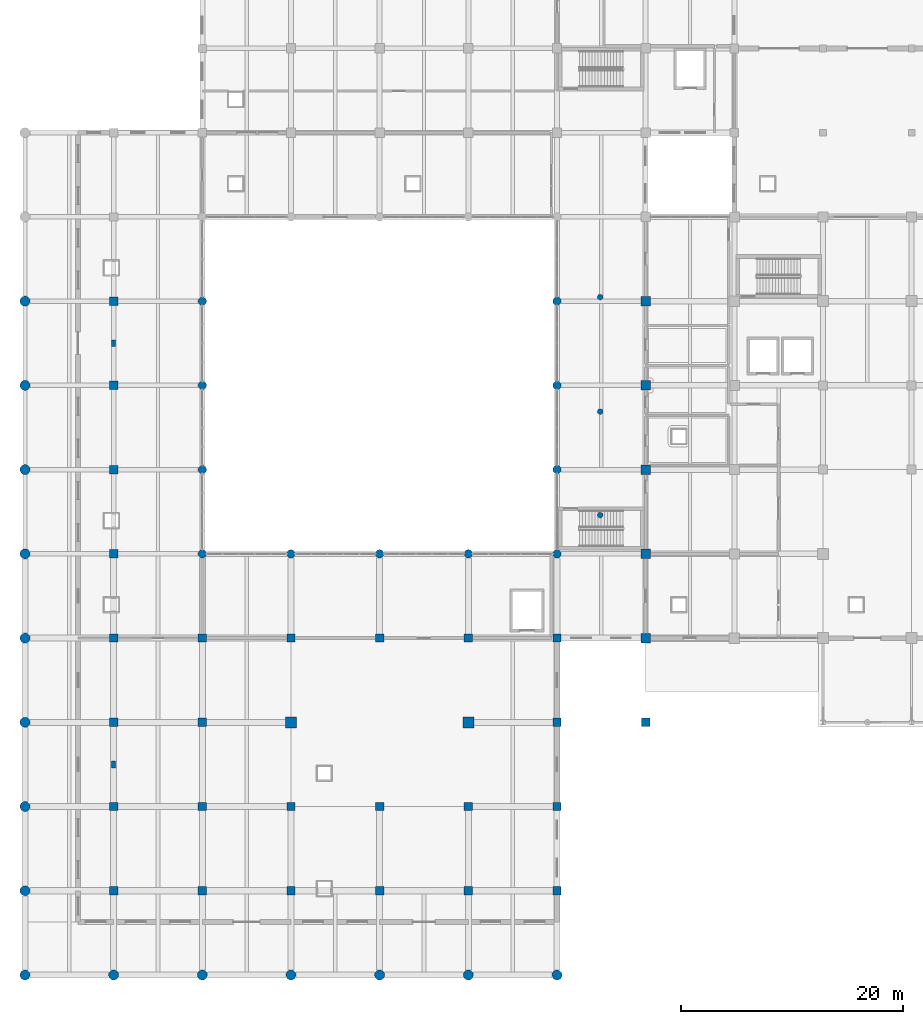
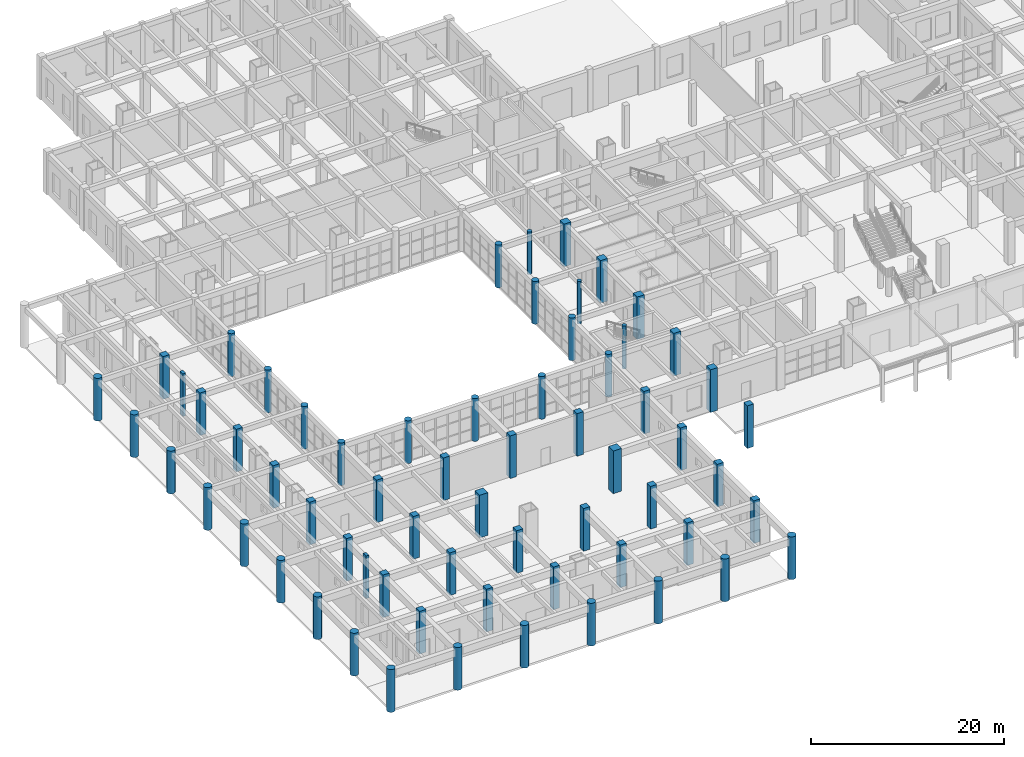
# One storey, part 1 of 95: 64 columns.
"""IFC4 building model written with IfcOpenShell, lengths in metres."""

from ifc_helpers import new_model, si_unit, direction, frame, origin, origin_2d, place, context, subcontext, project, spatial, rectangle, circle, extrude, material, material_profile, profile_set, type_object, element, save


model = new_model("IFC4")

# Units and contexts
model_context = context("Model", 3, precision=1e-05, world=origin(), true_north=direction((0.0, 1.0)))
body_context = subcontext(model_context, "Body", "Model", "MODEL_VIEW")
ifc_project = project(units=[si_unit("LENGTHUNIT", "METRE"), si_unit("AREAUNIT", "SQUARE_METRE"), si_unit("VOLUMEUNIT", "CUBIC_METRE"), si_unit("PLANEANGLEUNIT", "RADIAN"), si_unit("MASSUNIT", "GRAM", prefix="KILO")], contexts=[model_context])

# Site, building, storey
site_placement = place(None, origin())
site = spatial("IfcSite", under=ifc_project, at=site_placement, CompositionType="ELEMENT")
building_placement = place(site_placement, origin())
building = spatial("IfcBuilding", under=site, at=building_placement, Name="Zantavel Square City Hall", CompositionType="ELEMENT")
storey_placement = place(building_placement, origin())
storey = spatial("IfcBuildingStorey", under=building, at=storey_placement, Name="L01", CompositionType="ELEMENT", Elevation=0.0)

# Columns
ifc_material = material(Name="Concrete C40/50", Category="concrete")
ifc_material_profile_1 = material_profile(ifc_material, rectangle(XDim=0.60009765625, YDim=0.35009765625, at=origin_2d()), Name="RC 600x350")
ifc_profile_set_1 = profile_set([ifc_material_profile_1], Name="Concrete C40/50")
column_type_1 = type_object("IfcColumnType", Name="Colossal Facade Pilaster 600x350 C40/50", PredefinedType="PILASTER", material=ifc_profile_set_1)
for number, where, z_axis, x_axis, name in (
    (1, (8.0, 19.0, 0.0), (0.0, 0.0, 1.0), (0.0, 1.0, 0.0), "L01 Facade Pilaster PIL-L01-0080-0190"),
    (2, (8.0, 57.0, 0.0), (0.0, 0.0, 1.0), (0.0, 1.0, 0.0), "L01 Facade Pilaster PIL-L01-0080-0570"),
):
    element("IfcColumn", number, at=place(storey_placement, frame(where, z_axis=z_axis, x_axis=x_axis)), inside=storey, type_object=column_type_1, Name=name, PredefinedType="PILASTER", context=body_context, shape_type="SweptSolid", body=[
        extrude(rectangle(XDim=0.60009765625, YDim=0.35009765625, at=origin_2d()), origin(), (0.0, 0.0, 1.0), 5.39990234375),
    ])
ifc_material_profile_2 = material_profile(ifc_material, rectangle(XDim=1.0, YDim=1.0, at=origin_2d()), Name="RC 1000x1000")
ifc_profile_set_2 = profile_set([ifc_material_profile_2], Name="Concrete C40/50")
column_type_2 = type_object("IfcColumnType", Name="Column RC 1000x1000 C40/50", PredefinedType="COLUMN", material=ifc_profile_set_2)
for number, where, z_axis, x_axis, name in (
    (3, (24.0, 22.800048828125, 0.0), (0.0, 0.0, 1.0), (1.0, 0.0, 0.0), "L01 Column COL-L01-0240-0228"),
    (4, (40.0, 22.800048828125, 0.0), (0.0, 0.0, 1.0), (1.0, 0.0, 0.0), "L01 Column COL-L01-0400-0228"),
):
    element("IfcColumn", number, at=place(storey_placement, frame(where, z_axis=z_axis, x_axis=x_axis)), inside=storey, type_object=column_type_2, Name=name, PredefinedType="COLUMN", context=body_context, shape_type="SweptSolid", body=[
        extrude(rectangle(XDim=1.0, YDim=1.0, at=origin_2d()), origin(), (0.0, 0.0, 1.0), 5.39990234375),
    ])
ifc_material_profile_3 = material_profile(ifc_material, rectangle(XDim=0.75, YDim=0.75, at=origin_2d()), Name="RC 750x750")
ifc_profile_set_3 = profile_set([ifc_material_profile_3], Name="Concrete C40/50")
column_type_3 = type_object("IfcColumnType", Name="Column RC 750x750 C40/50", PredefinedType="COLUMN", material=ifc_profile_set_3)
for number, where, z_axis, x_axis, name in (
    (5, (8.0, 7.60009765625, 0.0), (0.0, 0.0, 1.0), (1.0, 0.0, 0.0), "L01 Column COL-L01-0080-0076"),
    (6, (8.0, 15.199951171875, 0.0), (0.0, 0.0, 1.0), (1.0, 0.0, 0.0), "L01 Column COL-L01-0080-0152"),
    (7, (8.0, 22.800048828125, 0.0), (0.0, 0.0, 1.0), (1.0, 0.0, 0.0), "L01 Column COL-L01-0080-0228"),
    (8, (8.0, 30.39990234375, 0.0), (0.0, 0.0, 1.0), (1.0, 0.0, 0.0), "L01 Column COL-L01-0080-0304"),
    (9, (8.0, 38.0, 0.0), (0.0, 0.0, 1.0), (1.0, 0.0, 0.0), "L01 Column COL-L01-0080-0380"),
    (10, (8.0, 45.60009765625, 0.0), (0.0, 0.0, 1.0), (1.0, 0.0, 0.0), "L01 Column COL-L01-0080-0456"),
    (11, (8.0, 53.199951171875, 0.0), (0.0, 0.0, 1.0), (1.0, 0.0, 0.0), "L01 Column COL-L01-0080-0532"),
    (12, (8.0, 60.800048828125, 0.0), (0.0, 0.0, 1.0), (1.0, 0.0, 0.0), "L01 Column COL-L01-0080-0608"),
    (13, (16.0, 7.60009765625, 0.0), (0.0, 0.0, 1.0), (1.0, 0.0, 0.0), "L01 Column COL-L01-0160-0076"),
    (14, (16.0, 15.199951171875, 0.0), (0.0, 0.0, 1.0), (1.0, 0.0, 0.0), "L01 Column COL-L01-0160-0152"),
    (15, (16.0, 22.800048828125, 0.0), (0.0, 0.0, 1.0), (1.0, 0.0, 0.0), "L01 Column COL-L01-0160-0228"),
    (16, (16.0, 30.39990234375, 0.0), (0.0, 0.0, 1.0), (1.0, 0.0, 0.0), "L01 Column COL-L01-0160-0304"),
    (17, (24.0, 7.60009765625, 0.0), (0.0, 0.0, 1.0), (1.0, 0.0, 0.0), "L01 Column COL-L01-0240-0076"),
    (18, (24.0, 15.199951171875, 0.0), (0.0, 0.0, 1.0), (1.0, 0.0, 0.0), "L01 Column COL-L01-0240-0152"),
    (19, (24.0, 30.39990234375, 0.0), (0.0, 0.0, 1.0), (1.0, 0.0, 0.0), "L01 Column COL-L01-0240-0304"),
    (20, (32.0, 7.60009765625, 0.0), (0.0, 0.0, 1.0), (1.0, 0.0, 0.0), "L01 Column COL-L01-0320-0076"),
    (21, (32.0, 15.199951171875, 0.0), (0.0, 0.0, 1.0), (1.0, 0.0, 0.0), "L01 Column COL-L01-0320-0152"),
    (22, (32.0, 30.39990234375, 0.0), (0.0, 0.0, 1.0), (1.0, 0.0, 0.0), "L01 Column COL-L01-0320-0304"),
    (23, (40.0, 7.60009765625, 0.0), (0.0, 0.0, 1.0), (1.0, 0.0, 0.0), "L01 Column COL-L01-0400-0076"),
    (24, (40.0, 15.199951171875, 0.0), (0.0, 0.0, 1.0), (1.0, 0.0, 0.0), "L01 Column COL-L01-0400-0152"),
    (25, (40.0, 30.39990234375, 0.0), (0.0, 0.0, 1.0), (1.0, 0.0, 0.0), "L01 Column COL-L01-0400-0304"),
    (26, (48.0, 7.60009765625, 0.0), (0.0, 0.0, 1.0), (1.0, 0.0, 0.0), "L01 Column COL-L01-0480-0076"),
    (27, (48.0, 15.199951171875, 0.0), (0.0, 0.0, 1.0), (1.0, 0.0, 0.0), "L01 Column COL-L01-0480-0152"),
    (28, (48.0, 22.800048828125, 0.0), (0.0, 0.0, 1.0), (1.0, 0.0, 0.0), "L01 Column COL-L01-0480-0228"),
    (29, (48.0, 30.39990234375, 0.0), (0.0, 0.0, 1.0), (1.0, 0.0, 0.0), "L01 Column COL-L01-0480-0304"),
    (30, (56.0, 22.800048828125, 0.0), (0.0, 0.0, 1.0), (1.0, 0.0, 0.0), "L01 Column COL-L01-0560-0228"),
):
    element("IfcColumn", number, at=place(storey_placement, frame(where, z_axis=z_axis, x_axis=x_axis)), inside=storey, type_object=column_type_3, Name=name, PredefinedType="COLUMN", context=body_context, shape_type="SweptSolid", body=[
        extrude(rectangle(XDim=0.75, YDim=0.75, at=origin_2d()), origin(), (0.0, 0.0, 1.0), 5.39990234375),
    ])
ifc_material_profile_4 = material_profile(ifc_material, rectangle(XDim=0.85009765625, YDim=0.85009765625, at=origin_2d()), Name="RC 850x850")
ifc_profile_set_4 = profile_set([ifc_material_profile_4], Name="Concrete C40/50")
column_type_4 = type_object("IfcColumnType", Name="Column RC 850x850 C40/50", PredefinedType="COLUMN", material=ifc_profile_set_4)
for number, where, z_axis, x_axis, name in (
    (31, (56.0, 30.39990234375, 0.0), (0.0, 0.0, 1.0), (1.0, 0.0, 0.0), "L01 Column COL-L01-0560-0304"),
    (32, (56.0, 38.0, 0.0), (0.0, 0.0, 1.0), (1.0, 0.0, 0.0), "L01 Column COL-L01-0560-0380"),
    (33, (56.0, 45.60009765625, 0.0), (0.0, 0.0, 1.0), (1.0, 0.0, 0.0), "L01 Column COL-L01-0560-0456"),
    (34, (56.0, 53.199951171875, 0.0), (0.0, 0.0, 1.0), (1.0, 0.0, 0.0), "L01 Column COL-L01-0560-0532"),
    (35, (56.0, 60.800048828125, 0.0), (0.0, 0.0, 1.0), (1.0, 0.0, 0.0), "L01 Column COL-L01-0560-0608"),
):
    element("IfcColumn", number, at=place(storey_placement, frame(where, z_axis=z_axis, x_axis=x_axis)), inside=storey, type_object=column_type_4, Name=name, PredefinedType="COLUMN", context=body_context, shape_type="SweptSolid", body=[
        extrude(rectangle(XDim=0.85009765625, YDim=0.85009765625, at=origin_2d()), origin(), (0.0, 0.0, 1.0), 5.39990234375),
    ])
ifc_material_profile_5 = material_profile(ifc_material, circle(Radius=0.375, at=origin_2d()), Name="ROUND D750")
ifc_profile_set_5 = profile_set([ifc_material_profile_5], Name="Concrete C40/50")
column_type_5 = type_object("IfcColumnType", Name="Courtyard Ionic Column D750 C40/50", PredefinedType="COLUMN", material=ifc_profile_set_5)
for number, where, z_axis, x_axis, name in (
    (36, (16.0, 38.0, 0.0), (0.0, 0.0, 1.0), (1.0, 0.0, 0.0), "L01 Column COL-L01-0160-0380"),
    (37, (16.0, 45.60009765625, 0.0), (0.0, 0.0, 1.0), (1.0, 0.0, 0.0), "L01 Column COL-L01-0160-0456"),
    (38, (16.0, 53.199951171875, 0.0), (0.0, 0.0, 1.0), (1.0, 0.0, 0.0), "L01 Column COL-L01-0160-0532"),
    (39, (16.0, 60.800048828125, 0.0), (0.0, 0.0, 1.0), (1.0, 0.0, 0.0), "L01 Column COL-L01-0160-0608"),
    (40, (24.0, 38.0, 0.0), (0.0, 0.0, 1.0), (1.0, 0.0, 0.0), "L01 Column COL-L01-0240-0380"),
    (41, (32.0, 38.0, 0.0), (0.0, 0.0, 1.0), (1.0, 0.0, 0.0), "L01 Column COL-L01-0320-0380"),
    (42, (40.0, 38.0, 0.0), (0.0, 0.0, 1.0), (1.0, 0.0, 0.0), "L01 Column COL-L01-0400-0380"),
    (43, (48.0, 38.0, 0.0), (0.0, 0.0, 1.0), (1.0, 0.0, 0.0), "L01 Column COL-L01-0480-0380"),
    (44, (48.0, 45.60009765625, 0.0), (0.0, 0.0, 1.0), (1.0, 0.0, 0.0), "L01 Column COL-L01-0480-0456"),
    (45, (48.0, 53.199951171875, 0.0), (0.0, 0.0, 1.0), (1.0, 0.0, 0.0), "L01 Column COL-L01-0480-0532"),
    (46, (48.0, 60.800048828125, 0.0), (0.0, 0.0, 1.0), (1.0, 0.0, 0.0), "L01 Column COL-L01-0480-0608"),
):
    element("IfcColumn", number, at=place(storey_placement, frame(where, z_axis=z_axis, x_axis=x_axis)), inside=storey, type_object=column_type_5, Name=name, PredefinedType="COLUMN", context=body_context, shape_type="SweptSolid", body=[
        extrude(circle(Radius=0.375, at=origin_2d()), origin(), (0.0, 0.0, 1.0), 5.39990234375),
    ])
ifc_material_profile_6 = material_profile(ifc_material, circle(Radius=0.449951171875, at=origin_2d()), Name="ROUND D900")
ifc_profile_set_6 = profile_set([ifc_material_profile_6], Name="Concrete C40/50")
column_type_6 = type_object("IfcColumnType", Name="Portales Tuscan Column D900 C40/50", PredefinedType="COLUMN", material=ifc_profile_set_6)
for number, where, z_axis, x_axis, name in (
    (47, (0.0, 0.0, 0.0), (0.0, 0.0, 1.0), (1.0, 0.0, 0.0), "L01 Column COL-L01-0000-0000"),
    (48, (0.0, 7.60009765625, 0.0), (0.0, 0.0, 1.0), (1.0, 0.0, 0.0), "L01 Column COL-L01-0000-0076"),
    (49, (0.0, 15.199951171875, 0.0), (0.0, 0.0, 1.0), (1.0, 0.0, 0.0), "L01 Column COL-L01-0000-0152"),
    (50, (0.0, 22.800048828125, 0.0), (0.0, 0.0, 1.0), (1.0, 0.0, 0.0), "L01 Column COL-L01-0000-0228"),
    (51, (0.0, 30.39990234375, 0.0), (0.0, 0.0, 1.0), (1.0, 0.0, 0.0), "L01 Column COL-L01-0000-0304"),
    (52, (0.0, 38.0, 0.0), (0.0, 0.0, 1.0), (1.0, 0.0, 0.0), "L01 Column COL-L01-0000-0380"),
    (53, (0.0, 45.60009765625, 0.0), (0.0, 0.0, 1.0), (1.0, 0.0, 0.0), "L01 Column COL-L01-0000-0456"),
    (54, (0.0, 53.199951171875, 0.0), (0.0, 0.0, 1.0), (1.0, 0.0, 0.0), "L01 Column COL-L01-0000-0532"),
    (55, (0.0, 60.800048828125, 0.0), (0.0, 0.0, 1.0), (1.0, 0.0, 0.0), "L01 Column COL-L01-0000-0608"),
    (56, (8.0, 0.0, 0.0), (0.0, 0.0, 1.0), (1.0, 0.0, 0.0), "L01 Column COL-L01-0080-0000"),
    (57, (16.0, 0.0, 0.0), (0.0, 0.0, 1.0), (1.0, 0.0, 0.0), "L01 Column COL-L01-0160-0000"),
    (58, (24.0, 0.0, 0.0), (0.0, 0.0, 1.0), (1.0, 0.0, 0.0), "L01 Column COL-L01-0240-0000"),
    (59, (32.0, 0.0, 0.0), (0.0, 0.0, 1.0), (1.0, 0.0, 0.0), "L01 Column COL-L01-0320-0000"),
    (60, (40.0, 0.0, 0.0), (0.0, 0.0, 1.0), (1.0, 0.0, 0.0), "L01 Column COL-L01-0400-0000"),
    (61, (48.0, 0.0, 0.0), (0.0, 0.0, 1.0), (1.0, 0.0, 0.0), "L01 Column COL-L01-0480-0000"),
):
    element("IfcColumn", number, at=place(storey_placement, frame(where, z_axis=z_axis, x_axis=x_axis)), inside=storey, type_object=column_type_6, Name=name, PredefinedType="COLUMN", context=body_context, shape_type="SweptSolid", body=[
        extrude(circle(Radius=0.449951171875, at=origin_2d()), origin(), (0.0, 0.0, 1.0), 5.39990234375),
    ])
ifc_material_profile_7 = material_profile(ifc_material, circle(Radius=0.25, at=origin_2d()), Name="ROUND D500")
ifc_profile_set_7 = profile_set([ifc_material_profile_7], Name="Concrete C40/50")
column_type_7 = type_object("IfcColumnType", Name="Portico Canopy Classical Column D500 C40/50", PredefinedType="COLUMN", material=ifc_profile_set_7)
for number, where, z_axis, x_axis, name in (
    (62, (51.89990234375, 41.5, 0.0), (0.0, 0.0, 1.0), (1.0, 0.0, 0.0), "L01 Terrace Stair Loggia Column 4"),
    (63, (51.89990234375, 50.8349609375, 0.0), (0.0, 0.0, 1.0), (1.0, 0.0, 0.0), "L01 Terrace Stair Loggia Column 5"),
    (64, (51.89990234375, 61.169921875, 0.0), (0.0, 0.0, 1.0), (1.0, 0.0, 0.0), "L01 Terrace Stair Loggia Column 6"),
):
    element("IfcColumn", number, at=place(storey_placement, frame(where, z_axis=z_axis, x_axis=x_axis)), inside=storey, type_object=column_type_7, Name=name, PredefinedType="COLUMN", context=body_context, shape_type="SweptSolid", body=[
        extrude(circle(Radius=0.25, at=origin_2d()), origin(), (0.0, 0.0, 1.0), 5.39990234375),
    ])

save(model, "model.ifc")
